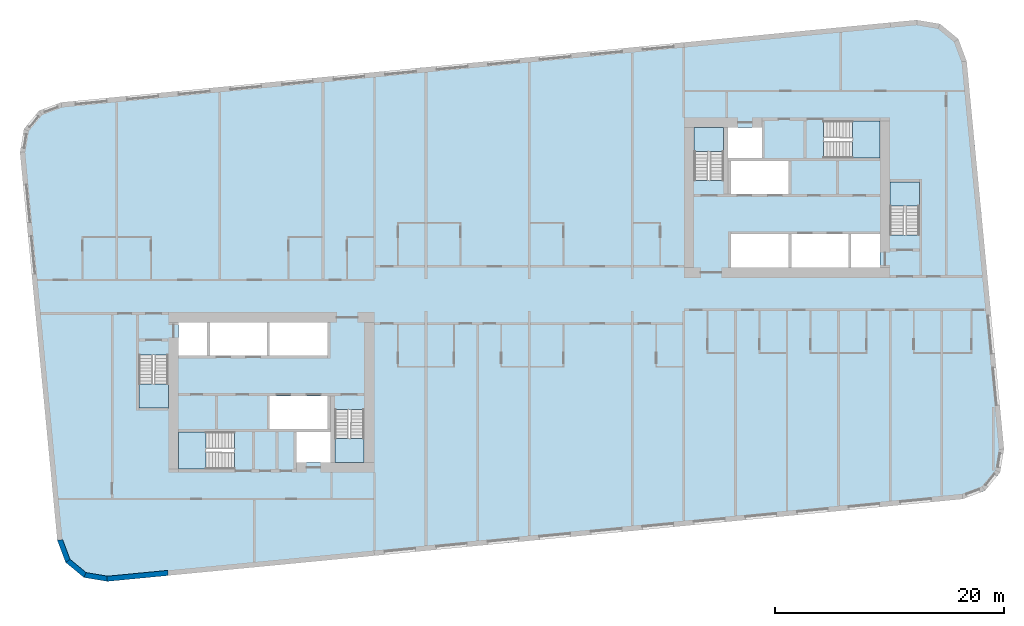
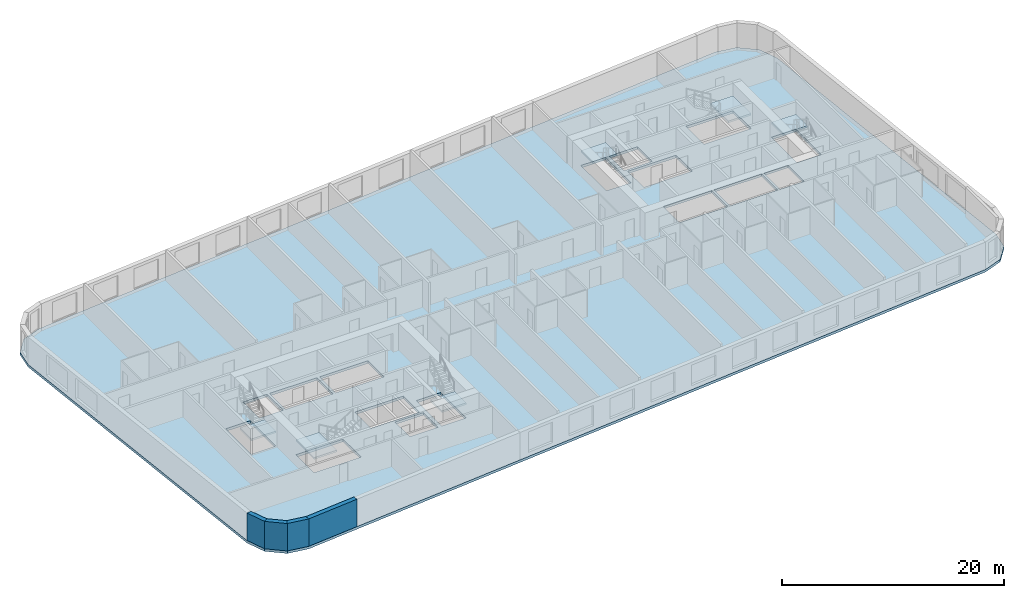
# One storey, part 1 of 12: 7 slabs, 4 walls, 6 elements without a shape of their own.
"""IFC4 building model written with IfcOpenShell, lengths in metres."""

from ifc_helpers import new_model, si_unit, direction, frame, frame_2d, origin, place, context, subcontext, project, spatial, polyline, rectangle, outline, extrude, material, layer, layer_set, type_object, element, aggregate, save


model = new_model("IFC4")

# Units and contexts
model_context = context("Model", 3, precision=1e-05, world=origin(), true_north=direction((0.0, 1.0)))
body_context = subcontext(model_context, "Body", "Model", "MODEL_VIEW")
ifc_project = project(units=[si_unit("LENGTHUNIT", "METRE"), si_unit("AREAUNIT", "SQUARE_METRE"), si_unit("VOLUMEUNIT", "CUBIC_METRE"), si_unit("PLANEANGLEUNIT", "RADIAN"), si_unit("MASSUNIT", "GRAM", prefix="KILO")], contexts=[model_context])

# Site, building, storey
site_placement = place(None, origin())
site = spatial("IfcSite", under=ifc_project, at=site_placement, CompositionType="ELEMENT")
building_placement = place(site_placement, origin())
building = spatial("IfcBuilding", under=site, at=building_placement, Name="Kajstack Hotel Tower", CompositionType="ELEMENT")
storey_placement = place(building_placement, frame((0.0, 0.0, 190.0)))
storey = spatial("IfcBuildingStorey", under=building, at=storey_placement, Name="L45", CompositionType="ELEMENT", Elevation=190.0)

# Slab
ifc_material_1 = material(Name="Concrete C40/50", Category="concrete")
ifc_layer_1 = layer(ifc_material_1, 0.280029296875)
ifc_layer_set_1 = layer_set([ifc_layer_1], Name="RC slab 280 C40/50 guest")
slab_type_1 = type_object("IfcSlabType", Name="RC slab 280 C40/50 guest", PredefinedType="FLOOR", material=ifc_layer_set_1)
slab_1_placement = place(storey_placement, frame((0.0, 0.0, -0.280029296875)))
element("IfcSlab", 1, at=slab_1_placement, inside=storey, type_object=slab_type_1, Name="S-slab-L45", PredefinedType="FLOOR", context=body_context, shape_type="SweptSolid", body=[
    extrude(outline(polyline([(-44.438232421875, 12.444091796875), (-41.1796875, -21.3994140625), (-40.454345703125, -23.3388671875), (-38.856689453125, -24.65576171875), (-36.814697265625, -24.99755859375), (37.840087890625, -17.80908203125), (39.779541015625, -17.083984375), (41.0966796875, -15.486328125), (41.438232421875, -13.444091796875), (38.1796875, 20.3994140625), (37.454345703125, 22.3388671875), (35.856689453125, 23.65576171875), (33.814697265625, 23.99755859375), (-40.840087890625, 16.80908203125), (-42.779541015625, 16.083984375), (-44.0966796875, 14.486328125), (-44.438232421875, 12.444091796875)]), holes=[polyline([(-22.64990234375, -11.699951171875), (-22.64990234375, -8.800048828125), (-17.60009765625, -8.800048828125), (-17.60009765625, -11.699951171875), (-22.64990234375, -11.699951171875)]), polyline([(-27.85009765625, -5.300048828125), (-27.85009765625, -2.39990234375), (-22.89990234375, -2.39990234375), (-22.89990234375, -5.300048828125), (-27.85009765625, -5.300048828125)]), polyline([(-22.64990234375, -5.300048828125), (-22.64990234375, -2.39990234375), (-17.60009765625, -2.39990234375), (-17.60009765625, -5.300048828125), (-22.64990234375, -5.300048828125)]), polyline([(-20.300048828125, -14.60009765625), (-17.35009765625, -14.60009765625), (-17.35009765625, -11.949951171875), (-20.300048828125, -11.949951171875), (-20.300048828125, -14.60009765625)]), polyline([(-30.60009765625, -5.300048828125), (-28.10009765625, -5.300048828125), (-28.10009765625, -2.39990234375), (-30.60009765625, -2.39990234375), (-30.60009765625, -5.300048828125)]), polyline([(17.60009765625, 8.800048828125), (17.60009765625, 11.699951171875), (22.64990234375, 11.699951171875), (22.64990234375, 8.800048828125), (17.60009765625, 8.800048828125)]), polyline([(22.89990234375, 2.39990234375), (22.89990234375, 5.300048828125), (27.85009765625, 5.300048828125), (27.85009765625, 2.39990234375), (22.89990234375, 2.39990234375)]), polyline([(17.60009765625, 2.39990234375), (17.60009765625, 5.300048828125), (22.64990234375, 5.300048828125), (22.64990234375, 2.39990234375), (17.60009765625, 2.39990234375)]), polyline([(20.300048828125, 14.60009765625), (17.35009765625, 14.60009765625), (17.35009765625, 11.949951171875), (20.300048828125, 11.949951171875), (20.300048828125, 14.60009765625)]), polyline([(30.60009765625, 5.300048828125), (28.10009765625, 5.300048828125), (28.10009765625, 2.39990234375), (30.60009765625, 2.39990234375), (30.60009765625, 5.300048828125)]), polyline([(-34.050048828125, -9.85009765625), (-31.5, -9.85009765625), (-31.5, -5.25), (-34.050048828125, -5.25), (-34.050048828125, -9.85009765625)]), polyline([(-16.949951171875, -14.60009765625), (-14.39990234375, -14.60009765625), (-14.39990234375, -10.0), (-16.949951171875, -10.0), (-16.949951171875, -14.60009765625)]), polyline([(-30.60009765625, -15.199951171875), (-25.699951171875, -15.199951171875), (-25.699951171875, -11.949951171875), (-30.60009765625, -11.949951171875), (-30.60009765625, -15.199951171875)]), polyline([(34.050048828125, 9.85009765625), (31.5, 9.85009765625), (31.5, 5.25), (34.050048828125, 5.25), (34.050048828125, 9.85009765625)]), polyline([(16.949951171875, 14.60009765625), (14.39990234375, 14.60009765625), (14.39990234375, 10.0), (16.949951171875, 10.0), (16.949951171875, 14.60009765625)]), polyline([(30.60009765625, 15.199951171875), (25.699951171875, 15.199951171875), (25.699951171875, 11.949951171875), (30.60009765625, 11.949951171875), (30.60009765625, 15.199951171875)])]), origin(), (0.0, 0.0, 1.0), 0.280029296875),
])

# Stair, slab
stair_type_1 = type_object("IfcStairType", Name="Exit stair 1200", PredefinedType="HALF_TURN_STAIR", material=ifc_material_1)
stair_1_placement = place(storey_placement, origin())
stair_1 = element("IfcStair", 2, at=stair_1_placement, inside=storey, type_object=stair_type_1, Name="L45 stair W1", PredefinedType="HALF_TURN_STAIR")
ifc_layer_2 = layer(ifc_material_1, 0.199951171875)
ifc_layer_set_2 = layer_set([ifc_layer_2], Name="Stair landing 200")
slab_type_2 = type_object("IfcSlabType", Name="Stair landing 200", PredefinedType="LANDING", material=ifc_layer_set_2)
slab_2_placement = place(storey_placement, frame((0.0, 0.0, 1.449951171875)))
slab_2 = element("IfcSlab", 3, at=slab_2_placement, type_object=slab_type_2, Name="W1 landing 1", PredefinedType="LANDING", context=body_context, shape_type="SweptSolid", body=[
    extrude(outline(polyline([(-34.050048828125, -7.77001953125), (-34.050048828125, -9.85009765625), (-31.5, -9.85009765625), (-31.5, -7.77001953125), (-34.050048828125, -7.77001953125)])), origin(), (0.0, 0.0, 1.0), 0.199951171875),
])
aggregate(stair_1, [slab_2])

stair_2_placement = place(storey_placement, origin())
stair_2 = element("IfcStair", 4, at=stair_2_placement, inside=storey, type_object=stair_type_1, Name="L45 stair W2", PredefinedType="HALF_TURN_STAIR")
slab_3_placement = place(storey_placement, frame((0.0, 0.0, 1.449951171875)))
slab_3 = element("IfcSlab", 5, at=slab_3_placement, type_object=slab_type_2, Name="W2 landing 1", PredefinedType="LANDING", context=body_context, shape_type="SweptSolid", body=[
    extrude(outline(polyline([(-16.949951171875, -12.52001953125), (-16.949951171875, -14.60009765625), (-14.39990234375, -14.60009765625), (-14.39990234375, -12.52001953125), (-16.949951171875, -12.52001953125)])), origin(), (0.0, 0.0, 1.0), 0.199951171875),
])
aggregate(stair_2, [slab_3])

stair_type_2 = type_object("IfcStairType", Name="Exit stair 1500", PredefinedType="HALF_TURN_STAIR", material=ifc_material_1)
stair_3_placement = place(storey_placement, origin())
stair_3 = element("IfcStair", 6, at=stair_3_placement, inside=storey, type_object=stair_type_2, Name="L45 stair W3", PredefinedType="HALF_TURN_STAIR")
slab_4_placement = place(storey_placement, frame((0.0, 0.0, 1.449951171875)))
slab_4 = element("IfcSlab", 7, at=slab_4_placement, type_object=slab_type_2, Name="W3 landing 1", PredefinedType="LANDING", context=body_context, shape_type="SweptSolid", body=[
    extrude(outline(polyline([(-28.219970703125, -11.949951171875), (-30.60009765625, -11.949951171875), (-30.60009765625, -15.199951171875), (-28.219970703125, -15.199951171875), (-28.219970703125, -11.949951171875)])), origin(), (0.0, 0.0, 1.0), 0.199951171875),
])
aggregate(stair_3, [slab_4])

stair_4_placement = place(storey_placement, origin())
stair_4 = element("IfcStair", 8, at=stair_4_placement, inside=storey, type_object=stair_type_1, Name="L45 stair E1", PredefinedType="HALF_TURN_STAIR")
slab_5_placement = place(storey_placement, frame((0.0, 0.0, 1.449951171875)))
slab_5 = element("IfcSlab", 9, at=slab_5_placement, type_object=slab_type_2, Name="E1 landing 1", PredefinedType="LANDING", context=body_context, shape_type="SweptSolid", body=[
    extrude(outline(polyline([(34.050048828125, 7.77001953125), (34.050048828125, 9.85009765625), (31.5, 9.85009765625), (31.5, 7.77001953125), (34.050048828125, 7.77001953125)])), origin(), (0.0, 0.0, 1.0), 0.199951171875),
])
aggregate(stair_4, [slab_5])

stair_5_placement = place(storey_placement, origin())
stair_5 = element("IfcStair", 10, at=stair_5_placement, inside=storey, type_object=stair_type_1, Name="L45 stair E2", PredefinedType="HALF_TURN_STAIR")
slab_6_placement = place(storey_placement, frame((0.0, 0.0, 1.449951171875)))
slab_6 = element("IfcSlab", 11, at=slab_6_placement, type_object=slab_type_2, Name="E2 landing 1", PredefinedType="LANDING", context=body_context, shape_type="SweptSolid", body=[
    extrude(outline(polyline([(16.949951171875, 12.52001953125), (16.949951171875, 14.60009765625), (14.39990234375, 14.60009765625), (14.39990234375, 12.52001953125), (16.949951171875, 12.52001953125)])), origin(), (0.0, 0.0, 1.0), 0.199951171875),
])
aggregate(stair_5, [slab_6])

stair_6_placement = place(storey_placement, origin())
stair_6 = element("IfcStair", 12, at=stair_6_placement, inside=storey, type_object=stair_type_2, Name="L45 stair E3", PredefinedType="HALF_TURN_STAIR")
slab_7_placement = place(storey_placement, frame((0.0, 0.0, 1.449951171875)))
slab_7 = element("IfcSlab", 13, at=slab_7_placement, type_object=slab_type_2, Name="E3 landing 1", PredefinedType="LANDING", context=body_context, shape_type="SweptSolid", body=[
    extrude(outline(polyline([(28.219970703125, 11.949951171875), (30.60009765625, 11.949951171875), (30.60009765625, 15.199951171875), (28.219970703125, 15.199951171875), (28.219970703125, 11.949951171875)])), origin(), (0.0, 0.0, 1.0), 0.199951171875),
])
aggregate(stair_6, [slab_7])

# Walls
ifc_material_2 = material(Name="Terracotta-faced brick masonry", Category="masonry")
ifc_layer_3 = layer(ifc_material_2, 0.449951171875)
ifc_layer_set_3 = layer_set([ifc_layer_3], Name="EW-TERRA")
wall_type = type_object("IfcWallType", Name="EW-TERRA", PredefinedType="SOLIDWALL", material=ifc_layer_set_3)
wall_1_placement = place(storey_placement, frame((-40.96875, -21.320556640625, 0.0), z_axis=(0.0, 0.0, 1.0), x_axis=(0.350192909346, -0.936677599948, 0.0)))
element("IfcWall", 14, at=wall_1_placement, inside=storey, type_object=wall_type, Name="E-wall-L45-01-00", PredefinedType="SOLIDWALL", context=body_context, shape_type="SweptSolid", body=[
    extrude(outline(polyline([(0.0, -0.22509765625), (2.070556640625, -0.22509765625), (1.949951171875, 0.22509765625), (0.12060546875, 0.224853515625), (0.0, -0.22509765625)])), origin(), (0.0, 0.0, 1.0), 3.02001953125),
])
wall_2_placement = place(storey_placement, frame((-40.311279296875, -23.165283203125, 0.0), z_axis=(0.0, 0.0, 1.0), x_axis=(0.771651049663, -0.636046112757, 0.0)))
element("IfcWall", 15, at=wall_2_placement, inside=storey, type_object=wall_type, Name="E-wall-L45-02-00", PredefinedType="SOLIDWALL", context=body_context, shape_type="SweptSolid", body=[
    extrude(outline(polyline([(0.0, -0.224853515625), (2.0703125, -0.22509765625), (1.94970703125, 0.224853515625), (0.12060546875, 0.22509765625), (0.0, -0.224853515625)])), origin(), (0.0, 0.0, 1.0), 3.02001953125),
])
wall_3_placement = place(storey_placement, frame((-38.819580078125, -24.433837890625, 0.0), z_axis=(0.0, 0.0, 1.0), x_axis=(0.986278951104, -0.165087342366, 0.0)))
element("IfcWall", 16, at=wall_3_placement, inside=storey, type_object=wall_type, Name="E-wall-L45-03-00", PredefinedType="SOLIDWALL", context=body_context, shape_type="SweptSolid", body=[
    extrude(outline(polyline([(0.0, -0.22509765625), (2.070556640625, -0.224853515625), (1.949951171875, 0.22509765625), (0.12060546875, 0.224853515625), (0.0, -0.22509765625)])), origin(), (0.0, 0.0, 1.0), 3.02001953125),
])
wall_4_placement = place(storey_placement, frame((-36.836181640625, -24.7734375, 0.0), z_axis=(0.0, 0.0, 1.0), x_axis=(0.995396705659, 0.095840483948, 0.0)))
element("IfcWall", 17, at=wall_4_placement, inside=storey, type_object=wall_type, Name="E-wall-L45-04-00", PredefinedType="SOLIDWALL", context=body_context, shape_type="SweptSolid", body=[
    extrude(rectangle(XDim=5.33935546875, YDim=0.449951171875, at=frame_2d((2.669677734375, 0.0))), origin(), (0.0, 0.0, 1.0), 3.02001953125),
])

save(model, "model.ifc")
